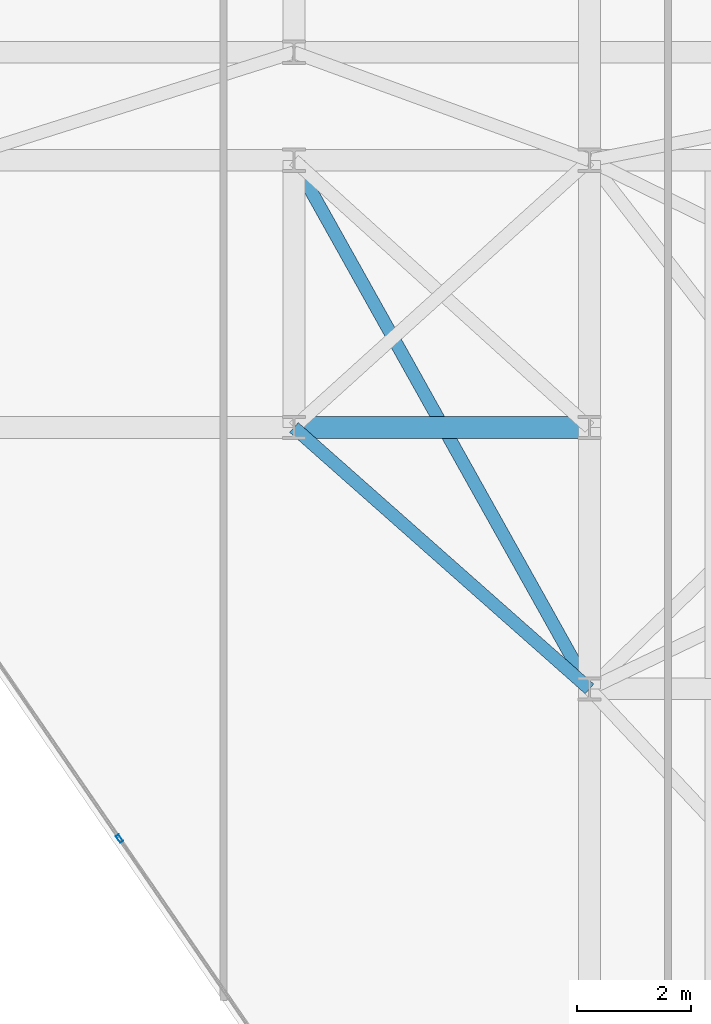
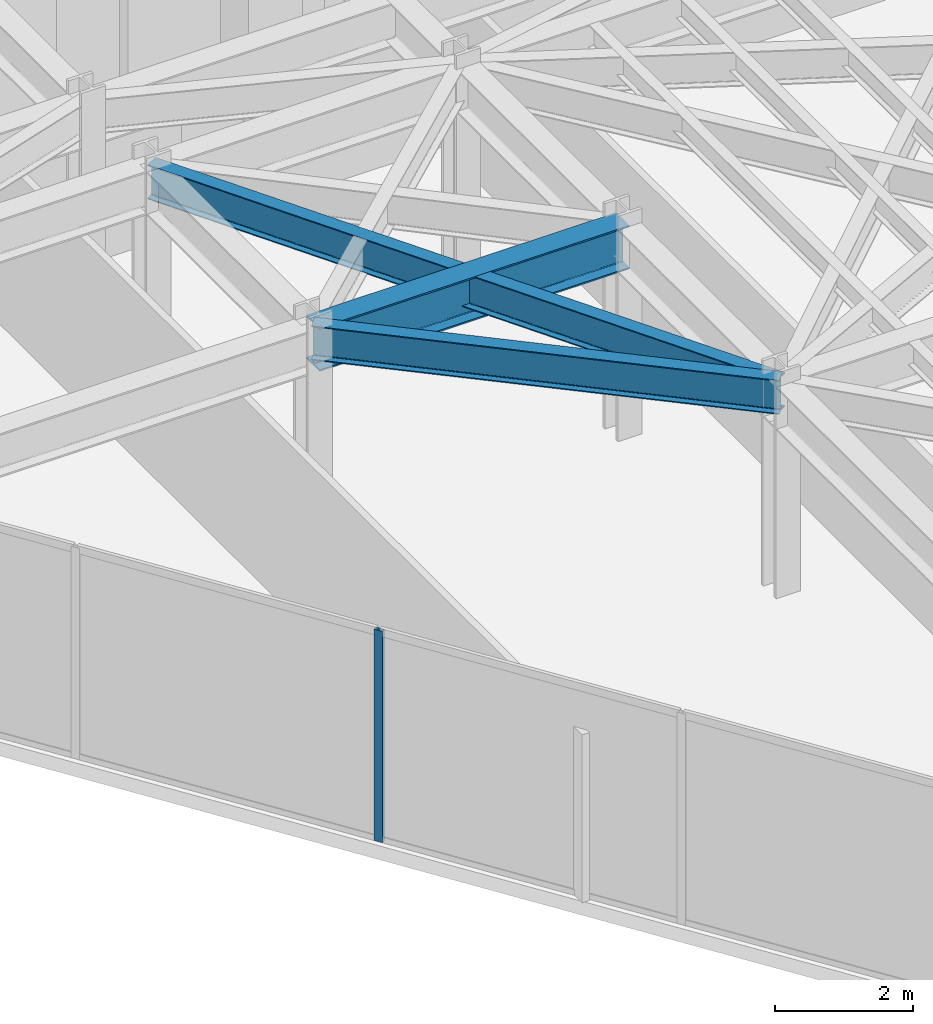
# One storey, part 12 of 21: 3 beams, 1 member, 1 element without a shape of its own.
"""IFC4 building model written with IfcOpenShell, lengths in metres."""

import ifcopenshell
import ifcopenshell.guid

model = None  # the IFC model being written
_history = None  # IfcOwnerHistory: only IFC2X3 demands one
_inside = {}  # id of a spatial element -> (the spatial element, [elements in it])
_under = {}  # id of a project, library or spatial element -> (it, [spatial elements below it])
_declared = {}  # id of a project -> (the project, [libraries it declares])
_typed = {}  # id of a type object -> (the type object, [elements of that type])
_made_of = {}  # id of a material, layer set ... -> (it, [elements and type objects made of it])


def new_model(schema):
    """Start an empty IFC model of exactly this schema.

    Asked for "IFC4X3", IfcOpenShell would pick the latest addendum, in which some entities
    have other attributes; the version numbers below select the first issue.
    IFC2X3 requires an IfcOwnerHistory on every rooted entity: one is made here for all.
    """
    global model, _history
    if schema == "IFC4X3":
        model = ifcopenshell.file(schema_version=(4, 3, 0, 0))
    else:
        model = ifcopenshell.file(schema=schema)
    _inside.clear()
    _under.clear()
    _declared.clear()
    _typed.clear()
    _made_of.clear()
    _history = None
    if model.schema == "IFC2X3":
        org = make("IfcOrganization", Name="unknown")
        user = make(
            "IfcPersonAndOrganization",
            ThePerson=make("IfcPerson", FamilyName="unknown"),
            TheOrganization=org,
        )
        app = make(
            "IfcApplication",
            ApplicationDeveloper=org,
            Version="unknown",
            ApplicationFullName="unknown",
            ApplicationIdentifier="unknown",
        )
        _history = make(
            "IfcOwnerHistory",
            OwningUser=user,
            OwningApplication=app,
            ChangeAction="ADDED",
            CreationDate=0,
        )
    return model


def make(cls, **values):
    """One entity of the class cls with the attributes given. An attribute that is None is left unset."""
    return model.create_entity(
        cls, **{name: value for name, value in values.items() if value is not None}
    )


def rooted(cls, **values):
    """An entity with a GlobalId (a new one), such as an element, a storey or a relation."""
    return make(cls, GlobalId=ifcopenshell.guid.new(), OwnerHistory=_history, **values)


def si_unit(unit_type, name, prefix=None):
    """IfcSIUnit, for example si_unit("LENGTHUNIT", "METRE", prefix="MILLI")."""
    return make("IfcSIUnit", UnitType=unit_type, Prefix=prefix, Name=name)


def assignment(units):
    """IfcUnitAssignment: the units of a project."""
    return None if units is None else make("IfcUnitAssignment", Units=units)


def point(xyz):
    """IfcCartesianPoint."""
    return None if xyz is None else make("IfcCartesianPoint", Coordinates=xyz)


def direction(xyz):
    """IfcDirection."""
    return None if xyz is None else make("IfcDirection", DirectionRatios=xyz)


def frame(location, z_axis=None, x_axis=None):
    """IfcAxis2Placement3D, a coordinate frame: its origin and axes. An axis left out is left unset."""
    return make(
        "IfcAxis2Placement3D",
        Location=point(location),
        Axis=direction(z_axis),
        RefDirection=direction(x_axis),
    )


def frame_2d(location, x_axis=None):
    """IfcAxis2Placement2D, a coordinate frame in the plane: its origin and x axis."""
    return make(
        "IfcAxis2Placement2D", Location=point(location), RefDirection=direction(x_axis)
    )


def origin():
    """The frame at (0, 0, 0) with its axes left unset."""
    return frame((0.0, 0.0, 0.0))


def origin_2d():
    """The frame at (0, 0) in the plane with its x axis left unset."""
    return frame_2d((0.0, 0.0))


def place(relative_to, where):
    """IfcLocalPlacement: puts the frame where relative to a parent placement (None: the world)."""
    return make(
        "IfcLocalPlacement", PlacementRelTo=relative_to, RelativePlacement=where
    )


def context(
    kind, dimensions, precision=None, world=None, true_north=None, identifier=None
):
    """IfcGeometricRepresentationContext, for example the 3D "Model" context."""
    return make(
        "IfcGeometricRepresentationContext",
        ContextIdentifier=identifier,
        ContextType=kind,
        CoordinateSpaceDimension=dimensions,
        Precision=precision,
        WorldCoordinateSystem=world,
        TrueNorth=true_north,
    )


def subcontext(parent, identifier, kind, view, scale=None):
    """IfcGeometricRepresentationSubContext, for example "Body" below "Model"."""
    return make(
        "IfcGeometricRepresentationSubContext",
        ContextIdentifier=identifier,
        ContextType=kind,
        ParentContext=parent,
        TargetScale=scale,
        TargetView=view,
    )


def project(units=None, contexts=None):
    """IfcProject with its units and contexts."""
    return rooted(
        "IfcProject",
        Name="project",
        RepresentationContexts=contexts,
        UnitsInContext=assignment(units),
    )


def spatial(cls, under=None, at=None, **own):
    """A site, building, storey or space (cls), placed at a placement, below another one or the project."""
    s = rooted(cls, ObjectPlacement=at, **own)
    if under is not None:
        _under.setdefault(under.id(), (under, []))[1].append(s)
    return s


def profile(cls, at=None, kind="AREA", **sizes):
    """A parametric profile (cls). Its sizes go by their IFC names, for example OverallWidth=200.0."""
    return make(cls, ProfileType=kind, Position=at, **sizes)


def hollow_rectangle(**sizes):
    """IfcRectangleHollowProfileDef."""
    return profile("IfcRectangleHollowProfileDef", **sizes)


def i_section(**sizes):
    """IfcIShapeProfileDef."""
    return profile("IfcIShapeProfileDef", **sizes)


def extrude(swept, where, along, depth):
    """IfcExtrudedAreaSolid: the profile swept, set in the frame where, extruded along a direction by depth."""
    return make(
        "IfcExtrudedAreaSolid",
        SweptArea=swept,
        Position=where,
        ExtrudedDirection=direction(along),
        Depth=depth,
    )


def shape(context_of_items, identifier, shape_type, items):
    """IfcShapeRepresentation: the items that make up one representation, for example the "Body"."""
    return make(
        "IfcShapeRepresentation",
        ContextOfItems=context_of_items,
        RepresentationIdentifier=identifier,
        RepresentationType=shape_type,
        Items=items,
    )


def material(Name=None, Category=None):
    """IfcMaterial."""
    return make("IfcMaterial", Name=Name, Category=Category)


def layer(
    of_material, thickness, ventilated=None, Name=None, Category=None, Priority=None
):
    """IfcMaterialLayer: one layer of a wall or slab, of a material (None: an air gap)."""
    return make(
        "IfcMaterialLayer",
        Material=of_material,
        LayerThickness=thickness,
        IsVentilated=ventilated,
        Name=Name,
        Category=Category,
        Priority=Priority,
    )


def layer_set(layers, Name=None):
    """IfcMaterialLayerSet."""
    return make("IfcMaterialLayerSet", MaterialLayers=layers, LayerSetName=Name)


def material_profile(
    of_material, cross_section, Name=None, Category=None, Priority=None
):
    """IfcMaterialProfile: a cross section and its material."""
    return make(
        "IfcMaterialProfile",
        Name=Name,
        Material=of_material,
        Profile=cross_section,
        Priority=Priority,
        Category=Category,
    )


def profile_set(profiles, Name=None, composite=None):
    """IfcMaterialProfileSet."""
    return make(
        "IfcMaterialProfileSet",
        Name=Name,
        MaterialProfiles=profiles,
        CompositeProfile=composite,
    )


def made_of(thing, what):
    """Note that an element or type object is made of a material, layer set ...; save() writes the relation."""
    if what is not None:
        _made_of.setdefault(what.id(), (what, []))[1].append(thing)
    return thing


def type_object(cls, material=None, **own):
    """A type object (cls), such as IfcWallType, which elements share."""
    return made_of(rooted(cls, **own), material)


def element(
    cls,
    number,
    at=None,
    inside=None,
    cuts=None,
    type_object=None,
    material=None,
    context=None,
    identifier="Body",
    shape_type=None,
    held_by="IfcProductDefinitionShape",
    body=None,
    shapes=None,
    **own,
):
    """One element of the class cls, such as IfcWall. Its Tag is "e" and its number.

    at: its placement. inside: the storey or other place that contains it. cuts: it is an
    opening in that element (IfcRelVoidsElement). A single representation is given by context,
    identifier, shape_type and body (its items); several are given by shapes. held_by: the class
    of the entity that holds the representations. save() writes the other relations.
    """
    e = rooted(cls, Tag="e%d" % number, ObjectPlacement=at, **own)
    if body is not None:
        shapes = [shape(context, identifier, shape_type, body)]
    if shapes is not None:
        e.Representation = make(held_by, Representations=shapes)
    if inside is not None:
        _inside.setdefault(inside.id(), (inside, []))[1].append(e)
    if cuts is not None:
        rooted(
            "IfcRelVoidsElement", RelatingBuildingElement=cuts, RelatedOpeningElement=e
        )
    if type_object is not None:
        _typed.setdefault(type_object.id(), (type_object, []))[1].append(e)
    return made_of(e, material)


def aggregate(whole, parts):
    """IfcRelAggregates: a whole, such as a stair, and the parts it consists of."""
    return rooted("IfcRelAggregates", RelatingObject=whole, RelatedObjects=parts)


def save(model, path):
    """Write the relations noted so far, then the file.

    IfcRelAggregates (storeys below a building ...), IfcRelContainedInSpatialStructure (elements
    in a storey), IfcRelDefinesByType, IfcRelAssociatesMaterial and IfcRelDeclares: one each for
    every whole, place, type object, material and project.
    """
    for whole, parts in _under.values():
        aggregate(whole, parts)
    for where, things in _inside.values():
        rooted(
            "IfcRelContainedInSpatialStructure",
            RelatedElements=things,
            RelatingStructure=where,
        )
    for kind, things in _typed.values():
        rooted("IfcRelDefinesByType", RelatedObjects=things, RelatingType=kind)
    for what, things in _made_of.values():
        rooted("IfcRelAssociatesMaterial", RelatedObjects=things, RelatingMaterial=what)
    for by, libraries in _declared.values():
        rooted("IfcRelDeclares", RelatingContext=by, RelatedDefinitions=libraries)
    model.write(path)


model = new_model("IFC4")

# Units and contexts
model_context = context("Model", 3, precision=1e-05, world=origin(), true_north=direction((0.0, 1.0)))
body_context = subcontext(model_context, "Body", "Model", "MODEL_VIEW")
ifc_project = project(units=[si_unit("LENGTHUNIT", "METRE"), si_unit("AREAUNIT", "SQUARE_METRE"), si_unit("VOLUMEUNIT", "CUBIC_METRE"), si_unit("PLANEANGLEUNIT", "RADIAN"), si_unit("MASSUNIT", "GRAM", prefix="KILO")], contexts=[model_context])

# Site, building, storey
site_placement = place(None, origin())
site = spatial("IfcSite", under=ifc_project, at=site_placement, CompositionType="ELEMENT")
building_placement = place(site_placement, origin())
building = spatial("IfcBuilding", under=site, at=building_placement, Name="Kravanh Interchange Tower", CompositionType="ELEMENT")
storey_placement = place(building_placement, frame((0.0, 0.0, 192.5)))
storey = spatial("IfcBuildingStorey", under=building, at=storey_placement, Name="L46", CompositionType="ELEMENT", Elevation=192.5)

# Curtain wall, member
ifc_material_1 = material(Name="Anodised Bronze Aluminium", Category="aluminium")
ifc_layer = layer(ifc_material_1, 0.179931640625)
ifc_layer_set = layer_set([ifc_layer], Name="Unitised Curtain Wall System CW-Z3 Upper Office")
curtain_wall_type = type_object("IfcCurtainWallType", Name="Unitised Curtain Wall System CW-Z3 Upper Office", PredefinedType="NOTDEFINED", material=ifc_layer_set)
curtain_wall_placement = place(storey_placement, origin())
curtain_wall = element("IfcCurtainWall", 1, at=curtain_wall_placement, inside=storey, type_object=curtain_wall_type, Name="L46 Unitised Curtain Wall CW-L46-03", PredefinedType="NOTDEFINED")
ifc_material_2 = material(Name="Anodised Bronze Aluminium", Category="aluminium")
ifc_material_profile_1 = material_profile(ifc_material_2, hollow_rectangle(XDim=0.06005859375, YDim=0.139892578125, WallThickness=0.00390625, at=origin_2d()), Name="ALU60X140X4")
ifc_profile_set_1 = profile_set([ifc_material_profile_1], Name="Anodised Bronze Aluminium")
member_type = type_object("IfcMemberType", Name="Curtain Wall Mullion ALU60X140X4 Bronze", PredefinedType="MULLION", material=ifc_profile_set_1)
member_placement = place(storey_placement, frame((47.7314453125, 19.56591796875, 0.0), z_axis=(0.0, 0.0, 1.0), x_axis=(-0.824042223035, -0.566528388217, 0.0)))
member = element("IfcMember", 2, at=member_placement, type_object=member_type, Name="CW-Z3 mullion 3", PredefinedType="MULLION", context=body_context, shape_type="SweptSolid", body=[
    extrude(hollow_rectangle(XDim=0.06005859375, YDim=0.139892578125, WallThickness=0.00390625, at=origin_2d()), origin(), (0.0, 0.0, 1.0), 3.7548828125),
])
aggregate(curtain_wall, [member])

# Beams
ifc_material_3 = material(Name="Structural Steel S355", Category="steel")
ifc_material_profile_2 = material_profile(ifc_material_3, i_section(OverallWidth=0.381103515625, OverallDepth=0.77294921875, WebThickness=0.0166015625, FlangeThickness=0.027099609375, FilletRadius=0.02490234375, at=origin_2d()), Name="W30X173")
ifc_profile_set_2 = profile_set([ifc_material_profile_2], Name="Structural Steel S355")
beam_type_1 = type_object("IfcBeamType", Name="Floor Beam W30X173 Structural Steel S355", PredefinedType="BEAM", material=ifc_profile_set_2)
beam_1_placement = place(storey_placement, frame((50.800048828125, 26.800048828125, 3.368408203125), z_axis=(1.0, 0.0, 0.0), x_axis=(0.0, 1.0, 0.0)))
element("IfcBeam", 3, at=beam_1_placement, inside=storey, type_object=beam_type_1, Name="L46 Primary Floor Girder 50", PredefinedType="BEAM", context=body_context, shape_type="SweptSolid", body=[
    extrude(i_section(OverallWidth=0.381103515625, OverallDepth=0.77294921875, WebThickness=0.0166015625, FlangeThickness=0.027099609375, FilletRadius=0.02490234375, at=origin_2d()), origin(), (0.0, 0.0, 1.0), 5.199951171875),
])
ifc_material_4 = material(Name="Structural Steel S355", Category="steel")
ifc_material_profile_3 = material_profile(ifc_material_4, i_section(OverallWidth=0.22802734375, OverallDepth=0.60791015625, WebThickness=0.01123046875, FlangeThickness=0.017333984375, FilletRadius=0.02197265625, at=origin_2d()), Name="W24X76")
ifc_profile_set_3 = profile_set([ifc_material_profile_3], Name="Structural Steel S355")
beam_type_2 = type_object("IfcBeamType", Name="Floor Spandrel W24X76 Structural Steel S355", PredefinedType="SPANDREL", material=ifc_profile_set_3)
beam_2_placement = place(storey_placement, frame((50.800048828125, 26.800048828125, 3.450927734375), z_axis=(0.74898649432, -0.662585263439, 0.0), x_axis=(0.662585263439, 0.74898649432, 0.0)))
element("IfcBeam", 4, at=beam_2_placement, inside=storey, type_object=beam_type_2, Name="L46 Perimeter Spandrel 51", PredefinedType="SPANDREL", context=body_context, shape_type="SweptSolid", body=[
    extrude(i_section(OverallWidth=0.22802734375, OverallDepth=0.60791015625, WebThickness=0.01123046875, FlangeThickness=0.017333984375, FilletRadius=0.02197265625, at=origin_2d()), origin(), (0.0, 0.0, 1.0), 6.942626953125),
])
beam_3_placement = place(storey_placement, frame((50.800048828125, 31.5, 3.450927734375), z_axis=(0.488026248114, -0.872828952975, 0.0), x_axis=(0.872828952975, 0.488026248114, 0.0)))
element("IfcBeam", 5, at=beam_3_placement, inside=storey, type_object=beam_type_2, Name="L46 Perimeter Spandrel 78", PredefinedType="SPANDREL", context=body_context, shape_type="SweptSolid", body=[
    extrude(i_section(OverallWidth=0.22802734375, OverallDepth=0.60791015625, WebThickness=0.01123046875, FlangeThickness=0.017333984375, FilletRadius=0.02197265625, at=origin_2d()), origin(), (0.0, 0.0, 1.0), 10.655029296875),
])

save(model, "model.ifc")
